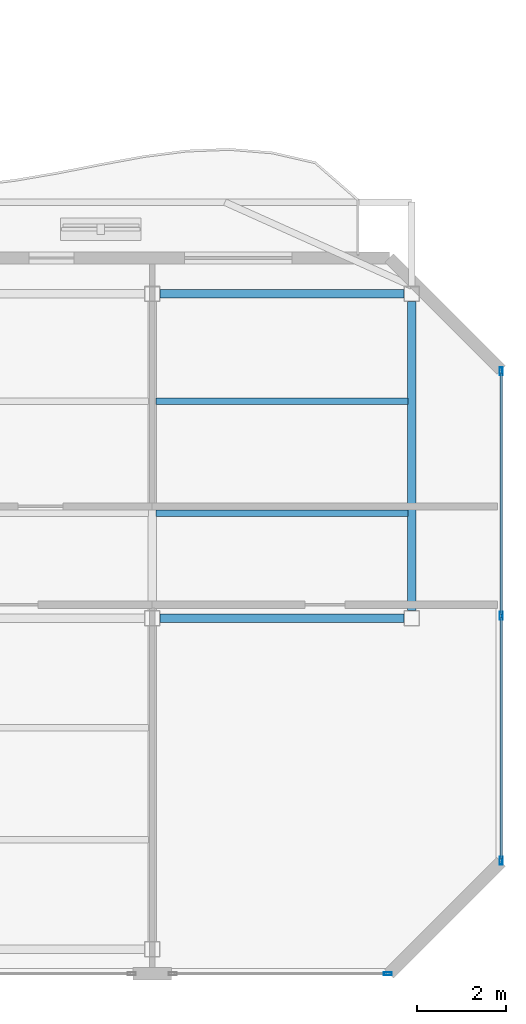
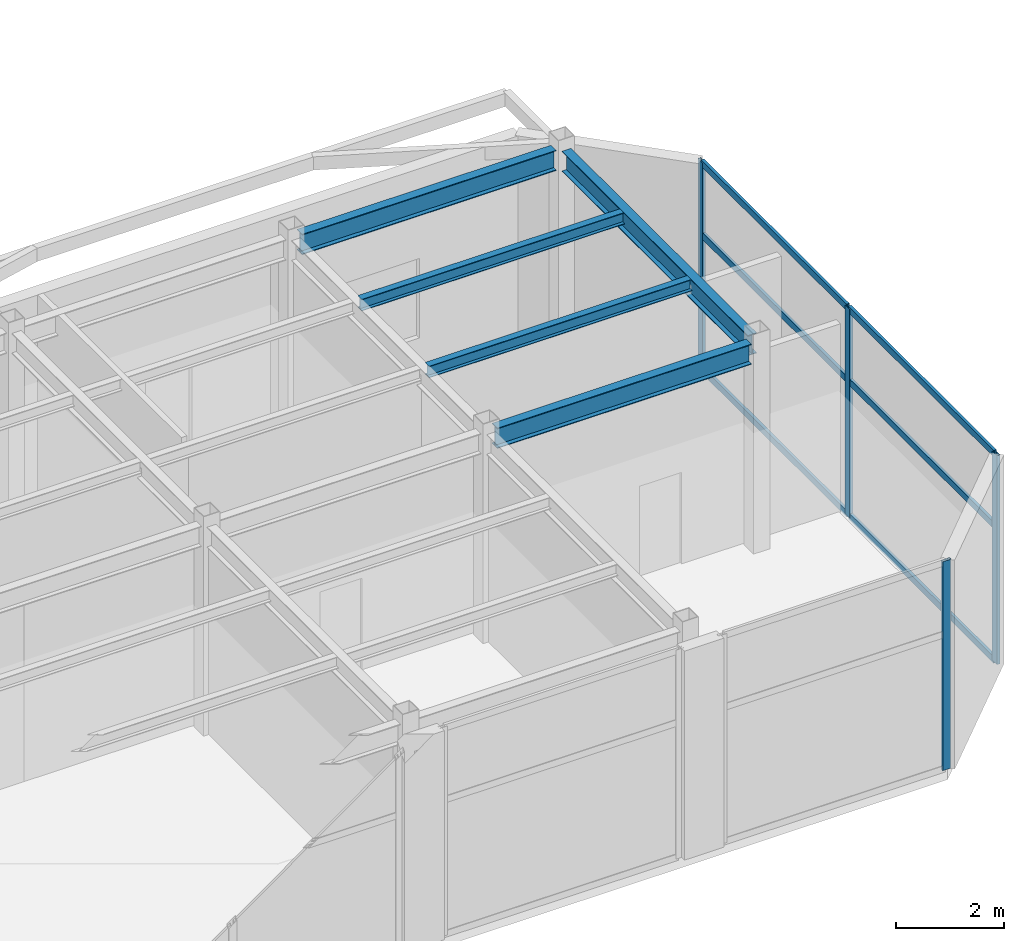
# One storey, part 7 of 15: 10 members, 5 beams, 2 elements without a shape of their own.
"""IFC4 building model written with IfcOpenShell, lengths in metres."""

from ifc_helpers import new_model, si_unit, direction, frame, origin, origin_2d, place, context, subcontext, project, spatial, hollow_rectangle, i_section, extrude, material, layer, layer_set, material_profile, profile_set, type_object, element, aggregate, save


model = new_model("IFC4")

# Units and contexts
model_context = context("Model", 3, precision=1e-05, world=origin(), true_north=direction((0.0, 1.0)))
body_context = subcontext(model_context, "Body", "Model", "MODEL_VIEW")
ifc_project = project(units=[si_unit("LENGTHUNIT", "METRE"), si_unit("AREAUNIT", "SQUARE_METRE"), si_unit("VOLUMEUNIT", "CUBIC_METRE"), si_unit("PLANEANGLEUNIT", "RADIAN"), si_unit("MASSUNIT", "GRAM", prefix="KILO")], contexts=[model_context])

# Site, building, storey
site_placement = place(None, origin())
site = spatial("IfcSite", under=ifc_project, at=site_placement, CompositionType="ELEMENT")
building_placement = place(site_placement, origin())
building = spatial("IfcBuilding", under=site, at=building_placement, Name="Mawjaban Terraces University", CompositionType="ELEMENT")
storey_placement = place(building_placement, frame((0.0, 0.0, 306.699951171875)))
storey = spatial("IfcBuildingStorey", under=building, at=storey_placement, Name="L75", CompositionType="ELEMENT", Elevation=306.699951171875)

# Beams
ifc_material_1 = material(Name="Steel ASTM A572 Grade 50", Category="steel")
ifc_material_profile_1 = material_profile(ifc_material_1, i_section(OverallWidth=0.19189453125, OverallDepth=0.462890625, WebThickness=0.010498046875, FlangeThickness=0.017578125, at=origin_2d()), Name="W460X89")
ifc_profile_set_1 = profile_set([ifc_material_profile_1], Name="Steel ASTM A572 Grade 50")
beam_type_1 = type_object("IfcBeamType", Name="Beam_B_W460X89", PredefinedType="BEAM", material=ifc_profile_set_1)
for number, where, z_axis, x_axis, name in (
    (1, (52.175048828125, 7.949951171875, 4.509033203125), (1.0, 0.0, 0.0), (0.0, 1.0, 0.0), "L75 Beam BM-L75-EW-05"),
    (2, (52.175048828125, 15.199951171875, 4.509033203125), (1.0, 0.0, 0.0), (0.0, 1.0, 0.0), "L75 Beam BM-L75-EW-07"),
):
    element("IfcBeam", number, at=place(storey_placement, frame(where, z_axis=z_axis, x_axis=x_axis)), inside=storey, type_object=beam_type_1, Name=name, PredefinedType="BEAM", context=body_context, shape_type="SweptSolid", body=[
        extrude(i_section(OverallWidth=0.19189453125, OverallDepth=0.462890625, WebThickness=0.010498046875, FlangeThickness=0.017578125, at=origin_2d()), origin(), (0.0, 0.0, 1.0), 5.449951171875),
    ])
beam_placement = place(storey_placement, frame((57.800048828125, 8.125, 4.509033203125), z_axis=(0.0, 1.0, 0.0), x_axis=(-1.0, 0.0, 0.0)))
element("IfcBeam", 3, at=beam_placement, inside=storey, type_object=beam_type_1, Name="L75 Beam BM-L75-NS-12", PredefinedType="BEAM", context=body_context, shape_type="SweptSolid", body=[
    extrude(i_section(OverallWidth=0.19189453125, OverallDepth=0.462890625, WebThickness=0.010498046875, FlangeThickness=0.017578125, at=origin_2d()), origin(), (0.0, 0.0, 1.0), 6.89990234375),
])
ifc_material_profile_2 = material_profile(ifc_material_1, i_section(OverallWidth=0.14794921875, OverallDepth=0.26611328125, WebThickness=0.007568359375, FlangeThickness=0.012939453125, at=origin_2d()), Name="W250X45")
ifc_profile_set_2 = profile_set([ifc_material_profile_2], Name="Steel ASTM A572 Grade 50")
beam_type_2 = type_object("IfcBeamType", Name="Beam_J_W250X45", PredefinedType="JOIST", material=ifc_profile_set_2)
for number, where, z_axis, x_axis, name in (
    (4, (52.080078125, 10.300048828125, 4.60693359375), (1.0, 0.0, 0.0), (0.0, 1.0, 0.0), "L75 Composite Joist JST-L75-07"),
    (5, (52.080078125, 12.800048828125, 4.60693359375), (1.0, 0.0, 0.0), (0.0, 1.0, 0.0), "L75 Composite Joist JST-L75-10"),
):
    element("IfcBeam", number, at=place(storey_placement, frame(where, z_axis=z_axis, x_axis=x_axis)), inside=storey, type_object=beam_type_2, Name=name, PredefinedType="JOIST", context=body_context, shape_type="SweptSolid", body=[
        extrude(i_section(OverallWidth=0.14794921875, OverallDepth=0.26611328125, WebThickness=0.007568359375, FlangeThickness=0.012939453125, at=origin_2d()), origin(), (0.0, 0.0, 1.0), 5.639892578125),
    ])

# Curtain wall, member
ifc_material_2 = material(Name="Anodised aluminium 6063-T6 and solar-control low-E glass", Category="aluminium")
ifc_layer = layer(ifc_material_2, 0.199951171875)
ifc_layer_set = layer_set([ifc_layer], Name="Anodised aluminium 6063-T6 and solar-control low-E glass")
curtain_wall_type = type_object("IfcCurtainWallType", Name="CWSystem_06_ObservationCrown", PredefinedType="NOTDEFINED", material=ifc_layer_set)
curtain_wall_1_placement = place(storey_placement, origin())
curtain_wall_1 = element("IfcCurtainWall", 6, at=curtain_wall_1_placement, inside=storey, type_object=curtain_wall_type, Name="L75 Curtain Wall CW-06 Run 1.5", PredefinedType="NOTDEFINED")
ifc_material_3 = material(Name="Anodised aluminium 6063-T6", Category="aluminium")
ifc_material_profile_3 = material_profile(ifc_material_3, hollow_rectangle(XDim=0.06494140625, YDim=0.179931640625, WallThickness=0.00390625, at=origin_2d()), Name="ALU180X65X4")
ifc_profile_set_3 = profile_set([ifc_material_profile_3], Name="Anodised aluminium 6063-T6")
member_type_1 = type_object("IfcMemberType", Name="Mullion_CW-06", PredefinedType="MULLION", material=ifc_profile_set_3)
member_1_placement = place(storey_placement, frame((57.267578125, 0.0, 0.0), z_axis=(0.0, 0.0, 1.0), x_axis=(0.0, 1.0, 0.0)))
member_1 = element("IfcMember", 7, at=member_1_placement, type_object=member_type_1, Name="CW-06 mullion 2", PredefinedType="MULLION", context=body_context, shape_type="SweptSolid", body=[
    extrude(hollow_rectangle(XDim=0.06494140625, YDim=0.179931640625, WallThickness=0.00390625, at=origin_2d()), origin(), (0.0, 0.0, 1.0), 4.739990234375),
])
aggregate(curtain_wall_1, [member_1])

# Curtain wall, members
curtain_wall_2_placement = place(storey_placement, origin())
curtain_wall_2 = element("IfcCurtainWall", 8, at=curtain_wall_2_placement, inside=storey, type_object=curtain_wall_type, Name="L75 Curtain Wall CW-06 Run 3.1", PredefinedType="NOTDEFINED")
member_2_placement = place(storey_placement, frame((59.800048828125, 2.532470703125, 0.0), z_axis=(0.0, 0.0, 1.0), x_axis=(-1.0, 0.0, 0.0)))
member_2 = element("IfcMember", 9, at=member_2_placement, type_object=member_type_1, Name="CW-06 mullion 1", PredefinedType="MULLION", context=body_context, shape_type="SweptSolid", body=[
    extrude(hollow_rectangle(XDim=0.06494140625, YDim=0.179931640625, WallThickness=0.00390625, at=origin_2d()), origin(), (0.0, 0.0, 1.0), 4.739990234375),
])
member_3_placement = place(storey_placement, frame((59.800048828125, 8.0, 0.0), z_axis=(0.0, 0.0, 1.0), x_axis=(-1.0, 0.0, 0.0)))
member_3 = element("IfcMember", 10, at=member_3_placement, type_object=member_type_1, Name="CW-06 mullion 2", PredefinedType="MULLION", context=body_context, shape_type="SweptSolid", body=[
    extrude(hollow_rectangle(XDim=0.06494140625, YDim=0.179931640625, WallThickness=0.00390625, at=origin_2d()), origin(), (0.0, 0.0, 1.0), 4.739990234375),
])
member_4_placement = place(storey_placement, frame((59.800048828125, 13.467529296875, 0.0), z_axis=(0.0, 0.0, 1.0), x_axis=(-1.0, 0.0, 0.0)))
member_4 = element("IfcMember", 11, at=member_4_placement, type_object=member_type_1, Name="CW-06 mullion 3", PredefinedType="MULLION", context=body_context, shape_type="SweptSolid", body=[
    extrude(hollow_rectangle(XDim=0.06494140625, YDim=0.179931640625, WallThickness=0.00390625, at=origin_2d()), origin(), (0.0, 0.0, 1.0), 4.739990234375),
])
ifc_material_profile_4 = material_profile(ifc_material_3, hollow_rectangle(XDim=0.06005859375, YDim=0.14990234375, WallThickness=0.00390625, at=origin_2d()), Name="ALU150X60X4")
ifc_profile_set_4 = profile_set([ifc_material_profile_4], Name="Anodised aluminium 6063-T6")
member_type_2 = type_object("IfcMemberType", Name="Transom_CW-06", PredefinedType="NOTDEFINED", material=ifc_profile_set_4)
member_5_placement = place(storey_placement, frame((59.800048828125, 2.56494140625, 0.030029296875), z_axis=(0.0, 1.0, 0.0), x_axis=(-1.0, 0.0, 0.0)))
member_5 = element("IfcMember", 12, at=member_5_placement, type_object=member_type_2, Name="CW-06 transom 1.1", ObjectType="TRANSOM", PredefinedType="USERDEFINED", context=body_context, shape_type="SweptSolid", body=[
    extrude(hollow_rectangle(XDim=0.06005859375, YDim=0.14990234375, WallThickness=0.00390625, at=origin_2d()), origin(), (0.0, 0.0, 1.0), 5.402587890625),
])
member_6_placement = place(storey_placement, frame((59.800048828125, 2.56494140625, 3.0810546875), z_axis=(0.0, 1.0, 0.0), x_axis=(-1.0, 0.0, 0.0)))
member_6 = element("IfcMember", 13, at=member_6_placement, type_object=member_type_2, Name="CW-06 transom 1.2", ObjectType="TRANSOM", PredefinedType="USERDEFINED", context=body_context, shape_type="SweptSolid", body=[
    extrude(hollow_rectangle(XDim=0.06005859375, YDim=0.14990234375, WallThickness=0.00390625, at=origin_2d()), origin(), (0.0, 0.0, 1.0), 5.402587890625),
])
member_7_placement = place(storey_placement, frame((59.800048828125, 2.56494140625, 4.7099609375), z_axis=(0.0, 1.0, 0.0), x_axis=(-1.0, 0.0, 0.0)))
member_7 = element("IfcMember", 14, at=member_7_placement, type_object=member_type_2, Name="CW-06 transom 1.3", ObjectType="TRANSOM", PredefinedType="USERDEFINED", context=body_context, shape_type="SweptSolid", body=[
    extrude(hollow_rectangle(XDim=0.06005859375, YDim=0.14990234375, WallThickness=0.00390625, at=origin_2d()), origin(), (0.0, 0.0, 1.0), 5.402587890625),
])
member_8_placement = place(storey_placement, frame((59.800048828125, 8.032470703125, 0.030029296875), z_axis=(0.0, 1.0, 0.0), x_axis=(-1.0, 0.0, 0.0)))
member_8 = element("IfcMember", 15, at=member_8_placement, type_object=member_type_2, Name="CW-06 transom 2.1", ObjectType="TRANSOM", PredefinedType="USERDEFINED", context=body_context, shape_type="SweptSolid", body=[
    extrude(hollow_rectangle(XDim=0.06005859375, YDim=0.14990234375, WallThickness=0.00390625, at=origin_2d()), origin(), (0.0, 0.0, 1.0), 5.402587890625),
])
member_9_placement = place(storey_placement, frame((59.800048828125, 8.032470703125, 3.0810546875), z_axis=(0.0, 1.0, 0.0), x_axis=(-1.0, 0.0, 0.0)))
member_9 = element("IfcMember", 16, at=member_9_placement, type_object=member_type_2, Name="CW-06 transom 2.2", ObjectType="TRANSOM", PredefinedType="USERDEFINED", context=body_context, shape_type="SweptSolid", body=[
    extrude(hollow_rectangle(XDim=0.06005859375, YDim=0.14990234375, WallThickness=0.00390625, at=origin_2d()), origin(), (0.0, 0.0, 1.0), 5.402587890625),
])
member_10_placement = place(storey_placement, frame((59.800048828125, 8.032470703125, 4.7099609375), z_axis=(0.0, 1.0, 0.0), x_axis=(-1.0, 0.0, 0.0)))
member_10 = element("IfcMember", 17, at=member_10_placement, type_object=member_type_2, Name="CW-06 transom 2.3", ObjectType="TRANSOM", PredefinedType="USERDEFINED", context=body_context, shape_type="SweptSolid", body=[
    extrude(hollow_rectangle(XDim=0.06005859375, YDim=0.14990234375, WallThickness=0.00390625, at=origin_2d()), origin(), (0.0, 0.0, 1.0), 5.402587890625),
])
aggregate(curtain_wall_2, [member_2, member_3, member_4, member_5, member_6, member_7, member_8, member_9, member_10])

save(model, "model.ifc")
